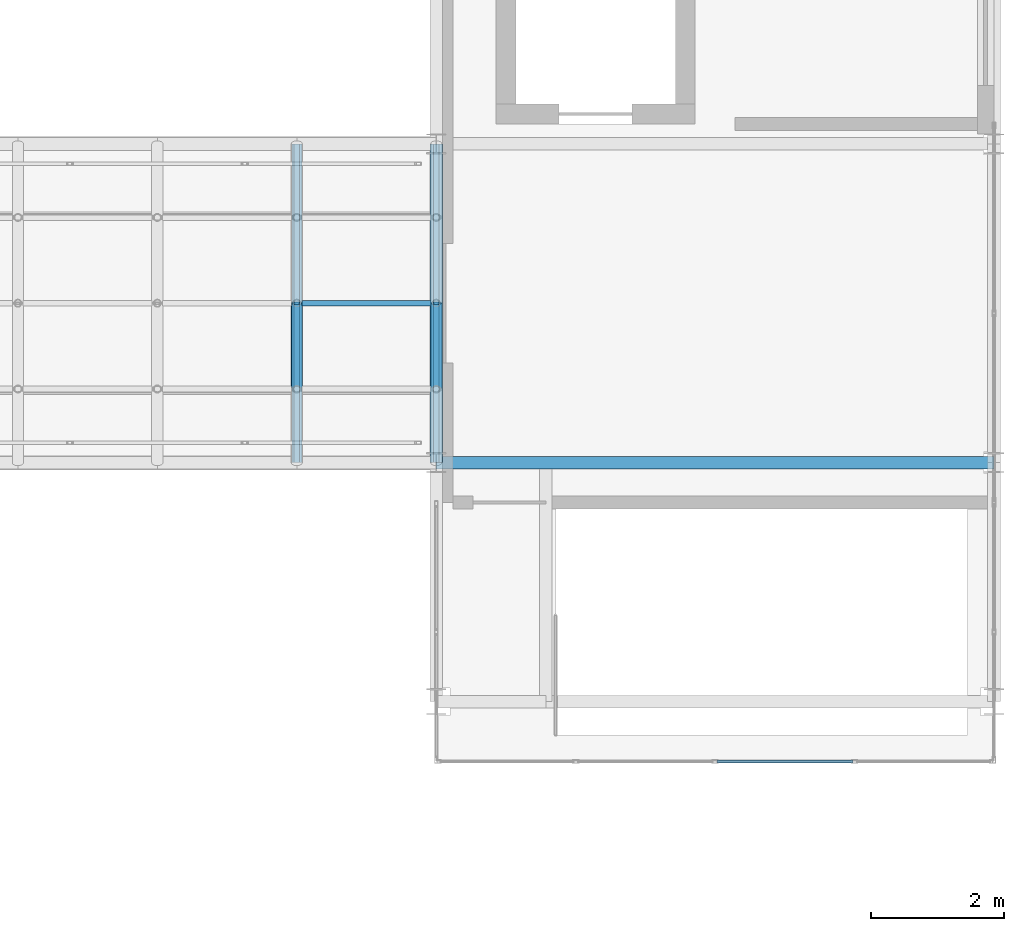
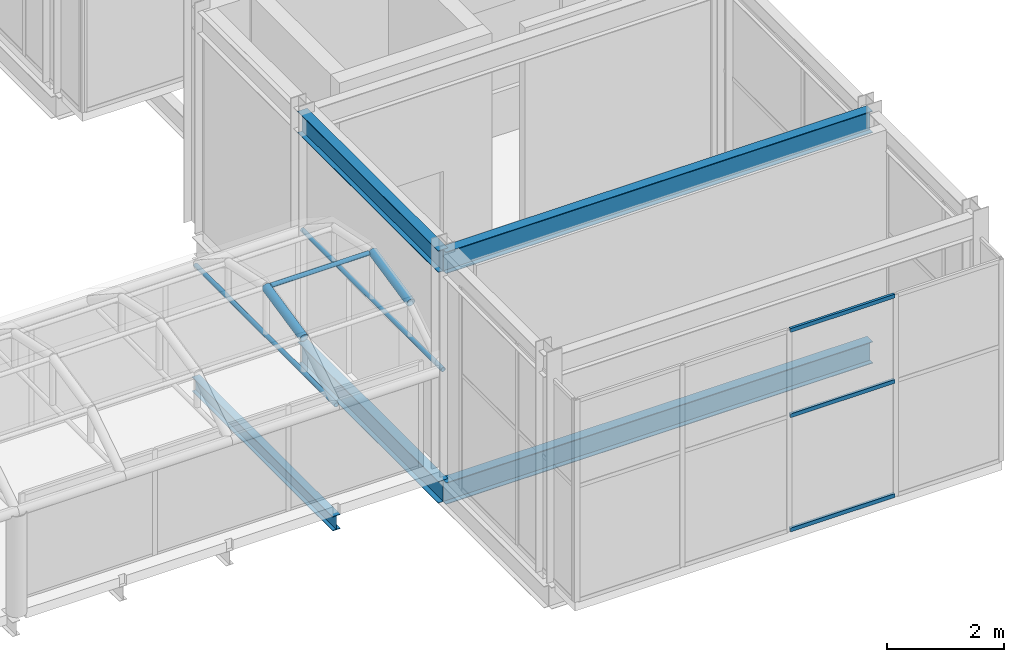
# One storey, part 44 of 167: 7 beams, 6 members, 1 element without a shape of its own.
"""IFC4 building model written with IfcOpenShell, lengths in metres."""

import ifcopenshell
import ifcopenshell.guid

model = None  # the IFC model being written
_history = None  # IfcOwnerHistory: only IFC2X3 demands one
_inside = {}  # id of a spatial element -> (the spatial element, [elements in it])
_under = {}  # id of a project, library or spatial element -> (it, [spatial elements below it])
_declared = {}  # id of a project -> (the project, [libraries it declares])
_typed = {}  # id of a type object -> (the type object, [elements of that type])
_made_of = {}  # id of a material, layer set ... -> (it, [elements and type objects made of it])


def new_model(schema):
    """Start an empty IFC model of exactly this schema.

    Asked for "IFC4X3", IfcOpenShell would pick the latest addendum, in which some entities
    have other attributes; the version numbers below select the first issue.
    IFC2X3 requires an IfcOwnerHistory on every rooted entity: one is made here for all.
    """
    global model, _history
    if schema == "IFC4X3":
        model = ifcopenshell.file(schema_version=(4, 3, 0, 0))
    else:
        model = ifcopenshell.file(schema=schema)
    _inside.clear()
    _under.clear()
    _declared.clear()
    _typed.clear()
    _made_of.clear()
    _history = None
    if model.schema == "IFC2X3":
        org = make("IfcOrganization", Name="unknown")
        user = make(
            "IfcPersonAndOrganization",
            ThePerson=make("IfcPerson", FamilyName="unknown"),
            TheOrganization=org,
        )
        app = make(
            "IfcApplication",
            ApplicationDeveloper=org,
            Version="unknown",
            ApplicationFullName="unknown",
            ApplicationIdentifier="unknown",
        )
        _history = make(
            "IfcOwnerHistory",
            OwningUser=user,
            OwningApplication=app,
            ChangeAction="ADDED",
            CreationDate=0,
        )
    return model


def make(cls, **values):
    """One entity of the class cls with the attributes given. An attribute that is None is left unset."""
    return model.create_entity(
        cls, **{name: value for name, value in values.items() if value is not None}
    )


def rooted(cls, **values):
    """An entity with a GlobalId (a new one), such as an element, a storey or a relation."""
    return make(cls, GlobalId=ifcopenshell.guid.new(), OwnerHistory=_history, **values)


def si_unit(unit_type, name, prefix=None):
    """IfcSIUnit, for example si_unit("LENGTHUNIT", "METRE", prefix="MILLI")."""
    return make("IfcSIUnit", UnitType=unit_type, Prefix=prefix, Name=name)


def assignment(units):
    """IfcUnitAssignment: the units of a project."""
    return None if units is None else make("IfcUnitAssignment", Units=units)


def point(xyz):
    """IfcCartesianPoint."""
    return None if xyz is None else make("IfcCartesianPoint", Coordinates=xyz)


def direction(xyz):
    """IfcDirection."""
    return None if xyz is None else make("IfcDirection", DirectionRatios=xyz)


def frame(location, z_axis=None, x_axis=None):
    """IfcAxis2Placement3D, a coordinate frame: its origin and axes. An axis left out is left unset."""
    return make(
        "IfcAxis2Placement3D",
        Location=point(location),
        Axis=direction(z_axis),
        RefDirection=direction(x_axis),
    )


def frame_2d(location, x_axis=None):
    """IfcAxis2Placement2D, a coordinate frame in the plane: its origin and x axis."""
    return make(
        "IfcAxis2Placement2D", Location=point(location), RefDirection=direction(x_axis)
    )


def origin():
    """The frame at (0, 0, 0) with its axes left unset."""
    return frame((0.0, 0.0, 0.0))


def origin_2d():
    """The frame at (0, 0) in the plane with its x axis left unset."""
    return frame_2d((0.0, 0.0))


def place(relative_to, where):
    """IfcLocalPlacement: puts the frame where relative to a parent placement (None: the world)."""
    return make(
        "IfcLocalPlacement", PlacementRelTo=relative_to, RelativePlacement=where
    )


def context(
    kind, dimensions, precision=None, world=None, true_north=None, identifier=None
):
    """IfcGeometricRepresentationContext, for example the 3D "Model" context."""
    return make(
        "IfcGeometricRepresentationContext",
        ContextIdentifier=identifier,
        ContextType=kind,
        CoordinateSpaceDimension=dimensions,
        Precision=precision,
        WorldCoordinateSystem=world,
        TrueNorth=true_north,
    )


def subcontext(parent, identifier, kind, view, scale=None):
    """IfcGeometricRepresentationSubContext, for example "Body" below "Model"."""
    return make(
        "IfcGeometricRepresentationSubContext",
        ContextIdentifier=identifier,
        ContextType=kind,
        ParentContext=parent,
        TargetScale=scale,
        TargetView=view,
    )


def project(units=None, contexts=None):
    """IfcProject with its units and contexts."""
    return rooted(
        "IfcProject",
        Name="project",
        RepresentationContexts=contexts,
        UnitsInContext=assignment(units),
    )


def spatial(cls, under=None, at=None, **own):
    """A site, building, storey or space (cls), placed at a placement, below another one or the project."""
    s = rooted(cls, ObjectPlacement=at, **own)
    if under is not None:
        _under.setdefault(under.id(), (under, []))[1].append(s)
    return s


def profile(cls, at=None, kind="AREA", **sizes):
    """A parametric profile (cls). Its sizes go by their IFC names, for example OverallWidth=200.0."""
    return make(cls, ProfileType=kind, Position=at, **sizes)


def hollow_rectangle(**sizes):
    """IfcRectangleHollowProfileDef."""
    return profile("IfcRectangleHollowProfileDef", **sizes)


def hollow_circle(**sizes):
    """IfcCircleHollowProfileDef."""
    return profile("IfcCircleHollowProfileDef", **sizes)


def i_section(**sizes):
    """IfcIShapeProfileDef."""
    return profile("IfcIShapeProfileDef", **sizes)


def extrude(swept, where, along, depth):
    """IfcExtrudedAreaSolid: the profile swept, set in the frame where, extruded along a direction by depth."""
    return make(
        "IfcExtrudedAreaSolid",
        SweptArea=swept,
        Position=where,
        ExtrudedDirection=direction(along),
        Depth=depth,
    )


def shape(context_of_items, identifier, shape_type, items):
    """IfcShapeRepresentation: the items that make up one representation, for example the "Body"."""
    return make(
        "IfcShapeRepresentation",
        ContextOfItems=context_of_items,
        RepresentationIdentifier=identifier,
        RepresentationType=shape_type,
        Items=items,
    )


def material(Name=None, Category=None):
    """IfcMaterial."""
    return make("IfcMaterial", Name=Name, Category=Category)


def material_profile(
    of_material, cross_section, Name=None, Category=None, Priority=None
):
    """IfcMaterialProfile: a cross section and its material."""
    return make(
        "IfcMaterialProfile",
        Name=Name,
        Material=of_material,
        Profile=cross_section,
        Priority=Priority,
        Category=Category,
    )


def profile_set(profiles, Name=None, composite=None):
    """IfcMaterialProfileSet."""
    return make(
        "IfcMaterialProfileSet",
        Name=Name,
        MaterialProfiles=profiles,
        CompositeProfile=composite,
    )


def made_of(thing, what):
    """Note that an element or type object is made of a material, layer set ...; save() writes the relation."""
    if what is not None:
        _made_of.setdefault(what.id(), (what, []))[1].append(thing)
    return thing


def type_object(cls, material=None, **own):
    """A type object (cls), such as IfcWallType, which elements share."""
    return made_of(rooted(cls, **own), material)


def element(
    cls,
    number,
    at=None,
    inside=None,
    cuts=None,
    type_object=None,
    material=None,
    context=None,
    identifier="Body",
    shape_type=None,
    held_by="IfcProductDefinitionShape",
    body=None,
    shapes=None,
    **own,
):
    """One element of the class cls, such as IfcWall. Its Tag is "e" and its number.

    at: its placement. inside: the storey or other place that contains it. cuts: it is an
    opening in that element (IfcRelVoidsElement). A single representation is given by context,
    identifier, shape_type and body (its items); several are given by shapes. held_by: the class
    of the entity that holds the representations. save() writes the other relations.
    """
    e = rooted(cls, Tag="e%d" % number, ObjectPlacement=at, **own)
    if body is not None:
        shapes = [shape(context, identifier, shape_type, body)]
    if shapes is not None:
        e.Representation = make(held_by, Representations=shapes)
    if inside is not None:
        _inside.setdefault(inside.id(), (inside, []))[1].append(e)
    if cuts is not None:
        rooted(
            "IfcRelVoidsElement", RelatingBuildingElement=cuts, RelatedOpeningElement=e
        )
    if type_object is not None:
        _typed.setdefault(type_object.id(), (type_object, []))[1].append(e)
    return made_of(e, material)


def aggregate(whole, parts):
    """IfcRelAggregates: a whole, such as a stair, and the parts it consists of."""
    return rooted("IfcRelAggregates", RelatingObject=whole, RelatedObjects=parts)


def save(model, path):
    """Write the relations noted so far, then the file.

    IfcRelAggregates (storeys below a building ...), IfcRelContainedInSpatialStructure (elements
    in a storey), IfcRelDefinesByType, IfcRelAssociatesMaterial and IfcRelDeclares: one each for
    every whole, place, type object, material and project.
    """
    for whole, parts in _under.values():
        aggregate(whole, parts)
    for where, things in _inside.values():
        rooted(
            "IfcRelContainedInSpatialStructure",
            RelatedElements=things,
            RelatingStructure=where,
        )
    for kind, things in _typed.values():
        rooted("IfcRelDefinesByType", RelatedObjects=things, RelatingType=kind)
    for what, things in _made_of.values():
        rooted("IfcRelAssociatesMaterial", RelatedObjects=things, RelatingMaterial=what)
    for by, libraries in _declared.values():
        rooted("IfcRelDeclares", RelatingContext=by, RelatedDefinitions=libraries)
    model.write(path)


model = new_model("IFC4")

# Units and contexts
model_context = context("Model", 3, precision=1e-05, world=origin(), true_north=direction((0.0, 1.0)))
body_context = subcontext(model_context, "Body", "Model", "MODEL_VIEW")
ifc_project = project(units=[si_unit("LENGTHUNIT", "METRE"), si_unit("AREAUNIT", "SQUARE_METRE"), si_unit("VOLUMEUNIT", "CUBIC_METRE"), si_unit("PLANEANGLEUNIT", "RADIAN"), si_unit("MASSUNIT", "GRAM", prefix="KILO")], contexts=[model_context])

# Site, building, storey
site_placement = place(None, origin())
site = spatial("IfcSite", under=ifc_project, at=site_placement, CompositionType="ELEMENT")
building_placement = place(site_placement, origin())
building = spatial("IfcBuilding", under=site, at=building_placement, Name="Catenary Quay Ferry Terminal", CompositionType="ELEMENT")
storey_placement = place(building_placement, frame((0.0, 0.0, 6.0)))
storey = spatial("IfcBuildingStorey", under=building, at=storey_placement, Name="L01", CompositionType="ELEMENT", Elevation=6.0)

# Beams
ifc_material_1 = material(Name="Steel S355", Category="steel")
ifc_material_profile_1 = material_profile(ifc_material_1, i_section(OverallWidth=0.18994140625, OverallDepth=0.453369140625, WebThickness=0.008544921875, FlangeThickness=0.0126953125, at=origin_2d()), Name="UB 457x191x67")
ifc_profile_set_1 = profile_set([ifc_material_profile_1], Name="Steel S355")
beam_type_1 = type_object("IfcBeamType", Name="B1 UB 457x191x67", PredefinedType="BEAM", material=ifc_profile_set_1)
beam_1_placement = place(storey_placement, frame((126.0, 73.199951171875, 4.373046875), z_axis=(1.0, 0.0, 0.0), x_axis=(0.0, 1.0, 0.0)))
element("IfcBeam", 1, at=beam_1_placement, inside=storey, type_object=beam_type_1, Name="Beam B1-034", PredefinedType="BEAM", context=body_context, shape_type="SweptSolid", body=[
    extrude(i_section(OverallWidth=0.18994140625, OverallDepth=0.453369140625, WebThickness=0.008544921875, FlangeThickness=0.0126953125, at=origin_2d()), origin(), (0.0, 0.0, 1.0), 8.39990234375),
])
beam_2_placement = place(storey_placement, frame((126.0, 73.199951171875, 4.373046875), z_axis=(0.0, 1.0, 0.0), x_axis=(-1.0, 0.0, 0.0)))
element("IfcBeam", 2, at=beam_2_placement, inside=storey, type_object=beam_type_1, Name="Beam B1-038", PredefinedType="BEAM", context=body_context, shape_type="SweptSolid", body=[
    extrude(i_section(OverallWidth=0.18994140625, OverallDepth=0.453369140625, WebThickness=0.008544921875, FlangeThickness=0.0126953125, at=origin_2d()), origin(), (0.0, 0.0, 1.0), 4.800048828125),
])
beam_3_placement = place(storey_placement, frame((126.0, 73.199951171875, -0.427001953125), z_axis=(1.0, 0.0, 0.0), x_axis=(0.0, 1.0, 0.0)))
element("IfcBeam", 3, at=beam_3_placement, inside=storey, type_object=beam_type_1, Name="Beam B1-063", PredefinedType="BEAM", context=body_context, shape_type="SweptSolid", body=[
    extrude(i_section(OverallWidth=0.18994140625, OverallDepth=0.453369140625, WebThickness=0.008544921875, FlangeThickness=0.0126953125, at=origin_2d()), origin(), (0.0, 0.0, 1.0), 8.39990234375),
])
beam_4_placement = place(storey_placement, frame((126.0, 73.199951171875, -0.427001953125), z_axis=(0.0, 1.0, 0.0), x_axis=(-1.0, 0.0, 0.0)))
element("IfcBeam", 4, at=beam_4_placement, inside=storey, type_object=beam_type_1, Name="Beam B1-067", PredefinedType="BEAM", context=body_context, shape_type="SweptSolid", body=[
    extrude(i_section(OverallWidth=0.18994140625, OverallDepth=0.453369140625, WebThickness=0.008544921875, FlangeThickness=0.0126953125, at=origin_2d()), origin(), (0.0, 0.0, 1.0), 4.800048828125),
])
ifc_material_2 = material(Name="Steel S355", Category="steel")
ifc_material_profile_2 = material_profile(ifc_material_2, i_section(OverallWidth=0.14990234375, OverallDepth=0.300048828125, WebThickness=0.007080078125, FlangeThickness=0.0107421875, at=origin_2d()), Name="IPE 300")
ifc_profile_set_2 = profile_set([ifc_material_profile_2], Name="Steel S355")
beam_type_2 = type_object("IfcBeamType", Name="B2 IPE 300", PredefinedType="BEAM", material=ifc_profile_set_2)
beam_5_placement = place(storey_placement, frame((123.89990234375, 73.199951171875, -0.35009765625), z_axis=(0.0, 1.0, 0.0), x_axis=(-1.0, 0.0, 0.0)))
element("IfcBeam", 5, at=beam_5_placement, inside=storey, type_object=beam_type_2, Name="Beam B2-015", PredefinedType="BEAM", context=body_context, shape_type="SweptSolid", body=[
    extrude(i_section(OverallWidth=0.14990234375, OverallDepth=0.300048828125, WebThickness=0.007080078125, FlangeThickness=0.0107421875, at=origin_2d()), origin(), (0.0, 0.0, 1.0), 4.800048828125),
])

# Member
ifc_material_3 = material(Name="Steel S355", Category="steel")
ifc_material_profile_3 = material_profile(ifc_material_3, hollow_circle(Radius=0.04443359375, WallThickness=0.0048828125, at=origin_2d()), Name="CHS 88.9x5")
ifc_profile_set_3 = profile_set([ifc_material_profile_3], Name="Steel S355")
member_type_1 = type_object("IfcMemberType", Name="PU3 CHS 88.9x5", PredefinedType="PURLIN", material=ifc_profile_set_3)
member_1_placement = place(storey_placement, frame((123.97998046875, 75.60009765625, 3.10009765625), z_axis=(1.0, 0.0, 0.0), x_axis=(0.0, 1.0, 0.0)))
element("IfcMember", 6, at=member_1_placement, inside=storey, type_object=member_type_1, Name="Purlin PU-RB1-16-02", PredefinedType="PURLIN", context=body_context, shape_type="SweptSolid", body=[
    extrude(hollow_circle(Radius=0.04443359375, WallThickness=0.0048828125, at=origin_2d()), origin(), (0.0, 0.0, 1.0), 1.93994140625),
])

# Beams
ifc_material_4 = material(Name="Steel S355", Category="steel")
ifc_material_profile_4 = material_profile(ifc_material_4, hollow_circle(Radius=0.04443359375, WallThickness=0.0048828125, at=origin_2d()), Name="CHS 88.9x5")
ifc_profile_set_4 = profile_set([ifc_material_profile_4], Name="Steel S355")
beam_type_3 = type_object("IfcBeamType", Name="TB4 CHS 88.9x5", PredefinedType="BEAM", material=ifc_profile_set_4)
for number, where, z_axis, x_axis, name in (
    (7, (123.89990234375, 73.199951171875, 2.10009765625), (0.0, 1.0, 0.0), (-1.0, 0.0, 0.0), "tie beam RB1-16"),
    (8, (126.0, 73.199951171875, 2.10009765625), (0.0, 1.0, 0.0), (-1.0, 0.0, 0.0), "tie beam RB1-17"),
):
    element("IfcBeam", number, at=place(storey_placement, frame(where, z_axis=z_axis, x_axis=x_axis)), inside=storey, type_object=beam_type_3, Name=name, PredefinedType="BEAM", context=body_context, shape_type="SweptSolid", body=[
        extrude(hollow_circle(Radius=0.04443359375, WallThickness=0.0048828125, at=origin_2d()), origin(), (0.0, 0.0, 1.0), 4.800048828125),
    ])

# Curtain wall, members
ifc_material_5 = material(Name="Aluminium and glass", Category="aluminium")
curtain_wall_type = type_object("IfcCurtainWallType", Name="CWK", PredefinedType="NOTDEFINED", material=ifc_material_5)
curtain_wall_placement = place(storey_placement, origin())
curtain_wall = element("IfcCurtainWall", 9, at=curtain_wall_placement, inside=storey, type_object=curtain_wall_type, Name="Head berth 1 stair curtain wall CW80", PredefinedType="NOTDEFINED")
ifc_material_6 = material(Name="Aluminium", Category="aluminium")
ifc_material_profile_5 = material_profile(ifc_material_6, hollow_rectangle(XDim=0.050048828125, YDim=0.080078125, WallThickness=0.00390625, at=origin_2d()), Name="TR1")
ifc_profile_set_5 = profile_set([ifc_material_profile_5], Name="Aluminium")
member_type_2 = type_object("IfcMemberType", Name="TR1", PredefinedType="USERDEFINED", material=ifc_profile_set_5)
member_2_placement = place(storey_placement, frame((130.22509765625, 68.699951171875, 0.02490234375), z_axis=(1.0, 0.0, 0.0), x_axis=(0.0, 1.0, 0.0)))
member_2 = element("IfcMember", 10, at=member_2_placement, type_object=member_type_2, Name="CW80 transom 3.1", ObjectType="TRANSOM", PredefinedType="USERDEFINED", context=body_context, shape_type="SweptSolid", body=[
    extrude(hollow_rectangle(XDim=0.050048828125, YDim=0.080078125, WallThickness=0.00390625, at=origin_2d()), origin(), (0.0, 0.0, 1.0), 2.0498046875),
])
member_3_placement = place(storey_placement, frame((130.22509765625, 68.699951171875, 2.39990234375), z_axis=(1.0, 0.0, 0.0), x_axis=(0.0, 1.0, 0.0)))
member_3 = element("IfcMember", 11, at=member_3_placement, type_object=member_type_2, Name="CW80 transom 3.2", ObjectType="TRANSOM", PredefinedType="USERDEFINED", context=body_context, shape_type="SweptSolid", body=[
    extrude(hollow_rectangle(XDim=0.050048828125, YDim=0.080078125, WallThickness=0.00390625, at=origin_2d()), origin(), (0.0, 0.0, 1.0), 2.0498046875),
])
member_4_placement = place(storey_placement, frame((130.22509765625, 68.699951171875, 4.175048828125), z_axis=(1.0, 0.0, 0.0), x_axis=(0.0, 1.0, 0.0)))
member_4 = element("IfcMember", 12, at=member_4_placement, type_object=member_type_2, Name="CW80 transom 3.3", ObjectType="TRANSOM", PredefinedType="USERDEFINED", context=body_context, shape_type="SweptSolid", body=[
    extrude(hollow_rectangle(XDim=0.050048828125, YDim=0.080078125, WallThickness=0.00390625, at=origin_2d()), origin(), (0.0, 0.0, 1.0), 2.0498046875),
])
aggregate(curtain_wall, [member_2, member_3, member_4])

# Members
ifc_material_7 = material(Name="Steel S355", Category="steel")
ifc_material_profile_6 = material_profile(ifc_material_7, hollow_circle(Radius=0.084228515625, WallThickness=0.008056640625, at=origin_2d()), Name="CHS 168.3x8")
ifc_profile_set_6 = profile_set([ifc_material_profile_6], Name="Steel S355")
member_type_3 = type_object("IfcMemberType", Name="VR4 CHS 168.3x8", PredefinedType="RAFTER", material=ifc_profile_set_6)
for number, where, z_axis, x_axis, name in (
    (13, (123.89990234375, 74.30810546875, 2.821044921875), (0.0, 0.977460543774, 0.211118178672), (-1.0, 0.0, 0.0), "rib RB1-16-02"),
    (14, (126.0, 74.30810546875, 2.821044921875), (0.0, 0.977460543774, 0.211118178672), (-1.0, 0.0, 0.0), "rib RB1-17-02"),
):
    element("IfcMember", number, at=place(storey_placement, frame(where, z_axis=z_axis, x_axis=x_axis)), inside=storey, type_object=member_type_3, Name=name, PredefinedType="RAFTER", context=body_context, shape_type="SweptSolid", body=[
        extrude(hollow_circle(Radius=0.084228515625, WallThickness=0.008056640625, at=origin_2d()), origin(), (0.0, 0.0, 1.0), 1.32177734375),
    ])

save(model, "model.ifc")
